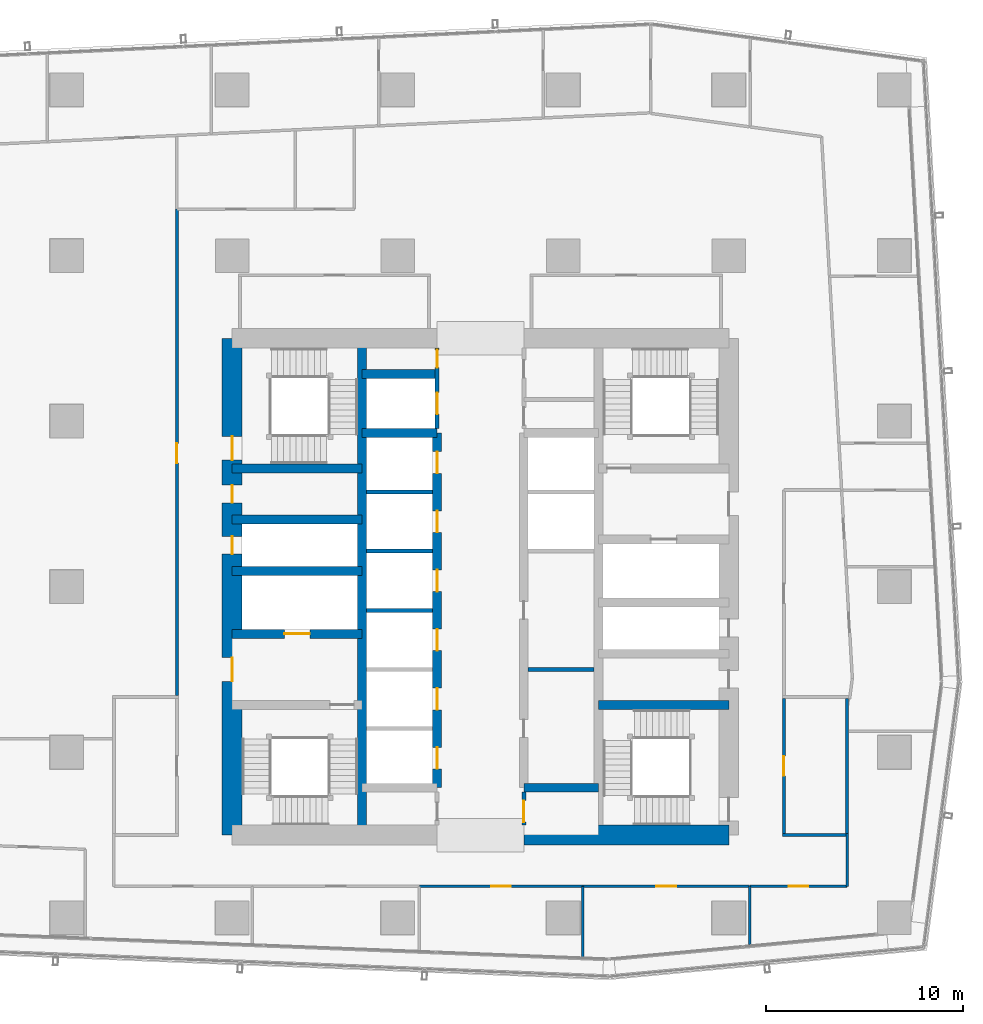
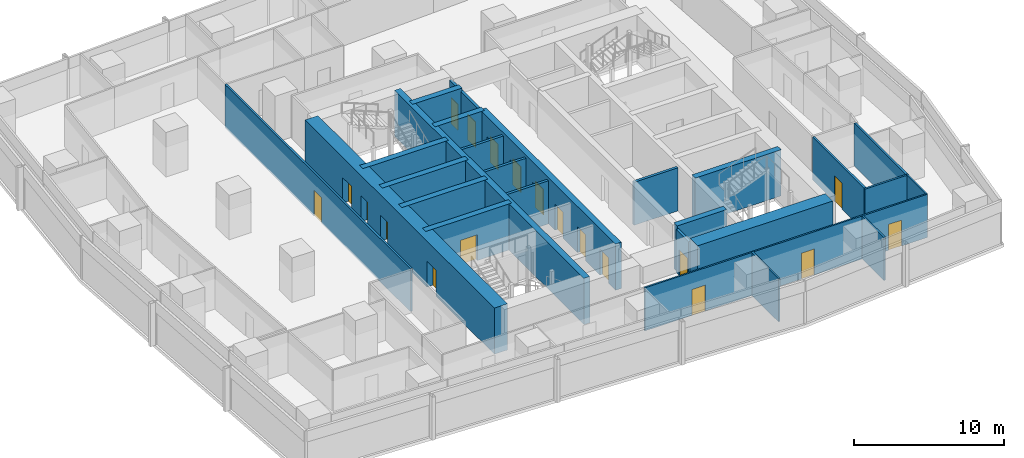
# One storey, part 28 of 39: 28 walls, 19 doors, 19 openings.
"""IFC4 building model written with IfcOpenShell, lengths in metres."""

from ifc_helpers import new_model, si_unit, direction, frame, frame_2d, origin, place, context, subcontext, project, spatial, rectangle, extrude, material, layer, layer_set, type_object, element, fill, save


model = new_model("IFC4")

# Units and contexts
model_context = context("Model", 3, precision=1e-05, world=origin(), true_north=direction((0.0, 1.0)))
body_context = subcontext(model_context, "Body", "Model", "MODEL_VIEW")
ifc_project = project(units=[si_unit("LENGTHUNIT", "METRE"), si_unit("AREAUNIT", "SQUARE_METRE"), si_unit("VOLUMEUNIT", "CUBIC_METRE"), si_unit("PLANEANGLEUNIT", "RADIAN"), si_unit("MASSUNIT", "GRAM", prefix="KILO")], contexts=[model_context])

# Site, building, storey
site_placement = place(None, origin())
site = spatial("IfcSite", under=ifc_project, at=site_placement, CompositionType="ELEMENT")
building_placement = place(site_placement, origin())
building = spatial("IfcBuilding", under=site, at=building_placement, Name="Rekha Terrace Tower", CompositionType="ELEMENT")
storey_placement = place(building_placement, frame((0.0, 0.0, 180.199951171875)))
storey = spatial("IfcBuildingStorey", under=building, at=storey_placement, Name="L45", CompositionType="ELEMENT", Elevation=180.199951171875)

# Wall
ifc_material_1 = material(Name="Concrete M60", Category="concrete")
ifc_layer_1 = layer(ifc_material_1, 0.449951171875)
ifc_layer_set_1 = layer_set([ifc_layer_1], Name="Concrete M60")
wall_type_1 = type_object("IfcWallType", Name="CI3 450 core internal shear wall", PredefinedType="SHEAR", material=ifc_layer_set_1)
wall_1_placement = place(storey_placement, frame((31.800048828125, 21.0, 0.0), z_axis=(0.0, 0.0, 1.0), x_axis=(0.0, 1.0, 0.0)))
element("IfcWall", 1, at=wall_1_placement, inside=storey, type_object=wall_type_1, Name="Core wall X318 L45", PredefinedType="SHEAR", context=body_context, shape_type="SweptSolid", body=[
    extrude(rectangle(XDim=25.199951171875, YDim=0.449951171875, at=frame_2d((12.60009765625, 0.0))), origin(), (0.0, 0.0, 1.0), 3.75),
])

# Wall, openings, doors
wall_2_placement = place(storey_placement, frame((35.60009765625, 23.39990234375, 0.0), z_axis=(0.0, 0.0, 1.0), x_axis=(0.0, 1.0, 0.0)))
wall_2 = element("IfcWall", 2, at=wall_2_placement, inside=storey, type_object=wall_type_1, Name="Core wall X356 L45", PredefinedType="SHEAR", context=body_context, shape_type="SweptSolid", body=[
    extrude(rectangle(XDim=18.0, YDim=0.449951171875, at=frame_2d((9.0, 0.0))), origin(), (0.0, 0.0, 1.0), 3.75),
])
opening_1_placement = place(wall_2_placement, frame((0.949951171875, 0.0, 0.0)))
opening_1 = element("IfcOpeningElement", 3, at=opening_1_placement, cuts=wall_2, Name="Opening LD1", PredefinedType="OPENING", context=body_context, shape_type="SweptSolid", body=[
    extrude(rectangle(XDim=1.10009765625, YDim=2.10009765625, at=frame_2d((0.550048828125, 1.050048828125))), frame((0.0, 0.23486328125, 0.0), z_axis=(0.0, -1.0, 0.0), x_axis=(1.0, 0.0, 0.0)), (0.0, 0.0, 1.0), 0.469970703125),
])
opening_2_placement = place(wall_2_placement, frame((3.949951171875, 0.0, 0.0)))
opening_2 = element("IfcOpeningElement", 4, at=opening_2_placement, cuts=wall_2, Name="Opening LD1", PredefinedType="OPENING", context=body_context, shape_type="SweptSolid", body=[
    extrude(rectangle(XDim=1.10009765625, YDim=2.10009765625, at=frame_2d((0.550048828125, 1.050048828125))), frame((0.0, 0.23486328125, 0.0), z_axis=(0.0, -1.0, 0.0), x_axis=(1.0, 0.0, 0.0)), (0.0, 0.0, 1.0), 0.469970703125),
])
opening_3_placement = place(wall_2_placement, frame((6.949951171875, 0.0, 0.0)))
opening_3 = element("IfcOpeningElement", 5, at=opening_3_placement, cuts=wall_2, Name="Opening LD1", PredefinedType="OPENING", context=body_context, shape_type="SweptSolid", body=[
    extrude(rectangle(XDim=1.10009765625, YDim=2.10009765625, at=frame_2d((0.550048828125, 1.050048828125))), frame((0.0, 0.23486328125, 0.0), z_axis=(0.0, -1.0, 0.0), x_axis=(1.0, 0.0, 0.0)), (0.0, 0.0, 1.0), 0.469970703125),
])
opening_4_placement = place(wall_2_placement, frame((9.949951171875, 0.0, 0.0)))
opening_4 = element("IfcOpeningElement", 6, at=opening_4_placement, cuts=wall_2, Name="Opening LD1", PredefinedType="OPENING", context=body_context, shape_type="SweptSolid", body=[
    extrude(rectangle(XDim=1.10009765625, YDim=2.10009765625, at=frame_2d((0.550048828125, 1.050048828125))), frame((0.0, 0.23486328125, 0.0), z_axis=(0.0, -1.0, 0.0), x_axis=(1.0, 0.0, 0.0)), (0.0, 0.0, 1.0), 0.469970703125),
])
opening_5_placement = place(wall_2_placement, frame((12.949951171875, 0.0, 0.0)))
opening_5 = element("IfcOpeningElement", 7, at=opening_5_placement, cuts=wall_2, Name="Opening LD1", PredefinedType="OPENING", context=body_context, shape_type="SweptSolid", body=[
    extrude(rectangle(XDim=1.10009765625, YDim=2.10009765625, at=frame_2d((0.550048828125, 1.050048828125))), frame((0.0, 0.23486328125, 0.0), z_axis=(0.0, -1.0, 0.0), x_axis=(1.0, 0.0, 0.0)), (0.0, 0.0, 1.0), 0.469970703125),
])
opening_6_placement = place(wall_2_placement, frame((15.949951171875, 0.0, 0.0)))
opening_6 = element("IfcOpeningElement", 8, at=opening_6_placement, cuts=wall_2, Name="Opening LD1", PredefinedType="OPENING", context=body_context, shape_type="SweptSolid", body=[
    extrude(rectangle(XDim=1.10009765625, YDim=2.10009765625, at=frame_2d((0.550048828125, 1.050048828125))), frame((0.0, 0.23486328125, 0.0), z_axis=(0.0, -1.0, 0.0), x_axis=(1.0, 0.0, 0.0)), (0.0, 0.0, 1.0), 0.469970703125),
])
ifc_material_2 = material(Name="Stainless steel sliding landing door", Category="steel")
door_type_1 = type_object("IfcDoorType", Name="LD1 1100x2100 lift landing door", OperationType="SLIDING_TO_LEFT", PredefinedType="USERDEFINED", material=ifc_material_2)
door_1_placement = place(opening_1_placement, origin())
door_1 = element("IfcDoor", 9, at=door_1_placement, inside=storey, type_object=door_type_1, Name="Lift C1 landing door L45", ObjectType="LIFT LANDING DOOR", OperationType="SLIDING_TO_LEFT", OverallHeight=2.10009765625, OverallWidth=1.10009765625, PredefinedType="USERDEFINED", context=body_context, shape_type="SweptSolid", body=[
    extrude(rectangle(XDim=1.10009765625, YDim=2.10009765625, at=frame_2d((0.550048828125, 1.050048828125))), frame((0.0, 0.02490234375, 0.0), z_axis=(0.0, -1.0, 0.0), x_axis=(1.0, 0.0, 0.0)), (0.0, 0.0, 1.0), 0.050048828125),
])
fill(opening_1, door_1)
door_2_placement = place(opening_2_placement, origin())
door_2 = element("IfcDoor", 10, at=door_2_placement, inside=storey, type_object=door_type_1, Name="Lift C2 landing door L45", ObjectType="LIFT LANDING DOOR", OperationType="SLIDING_TO_LEFT", OverallHeight=2.10009765625, OverallWidth=1.10009765625, PredefinedType="USERDEFINED", context=body_context, shape_type="SweptSolid", body=[
    extrude(rectangle(XDim=1.10009765625, YDim=2.10009765625, at=frame_2d((0.550048828125, 1.050048828125))), frame((0.0, 0.02490234375, 0.0), z_axis=(0.0, -1.0, 0.0), x_axis=(1.0, 0.0, 0.0)), (0.0, 0.0, 1.0), 0.050048828125),
])
fill(opening_2, door_2)
door_3_placement = place(opening_3_placement, origin())
door_3 = element("IfcDoor", 11, at=door_3_placement, inside=storey, type_object=door_type_1, Name="Lift C3 landing door L45", ObjectType="LIFT LANDING DOOR", OperationType="SLIDING_TO_LEFT", OverallHeight=2.10009765625, OverallWidth=1.10009765625, PredefinedType="USERDEFINED", context=body_context, shape_type="SweptSolid", body=[
    extrude(rectangle(XDim=1.10009765625, YDim=2.10009765625, at=frame_2d((0.550048828125, 1.050048828125))), frame((0.0, 0.02490234375, 0.0), z_axis=(0.0, -1.0, 0.0), x_axis=(1.0, 0.0, 0.0)), (0.0, 0.0, 1.0), 0.050048828125),
])
fill(opening_3, door_3)
door_4_placement = place(opening_4_placement, origin())
door_4 = element("IfcDoor", 12, at=door_4_placement, inside=storey, type_object=door_type_1, Name="Lift C4 landing door L45", ObjectType="LIFT LANDING DOOR", OperationType="SLIDING_TO_LEFT", OverallHeight=2.10009765625, OverallWidth=1.10009765625, PredefinedType="USERDEFINED", context=body_context, shape_type="SweptSolid", body=[
    extrude(rectangle(XDim=1.10009765625, YDim=2.10009765625, at=frame_2d((0.550048828125, 1.050048828125))), frame((0.0, 0.02490234375, 0.0), z_axis=(0.0, -1.0, 0.0), x_axis=(1.0, 0.0, 0.0)), (0.0, 0.0, 1.0), 0.050048828125),
])
fill(opening_4, door_4)
door_5_placement = place(opening_5_placement, origin())
door_5 = element("IfcDoor", 13, at=door_5_placement, inside=storey, type_object=door_type_1, Name="Lift C5 landing door L45", ObjectType="LIFT LANDING DOOR", OperationType="SLIDING_TO_LEFT", OverallHeight=2.10009765625, OverallWidth=1.10009765625, PredefinedType="USERDEFINED", context=body_context, shape_type="SweptSolid", body=[
    extrude(rectangle(XDim=1.10009765625, YDim=2.10009765625, at=frame_2d((0.550048828125, 1.050048828125))), frame((0.0, 0.02490234375, 0.0), z_axis=(0.0, -1.0, 0.0), x_axis=(1.0, 0.0, 0.0)), (0.0, 0.0, 1.0), 0.050048828125),
])
fill(opening_5, door_5)
door_6_placement = place(opening_6_placement, origin())
door_6 = element("IfcDoor", 14, at=door_6_placement, inside=storey, type_object=door_type_1, Name="Lift C6 landing door L45", ObjectType="LIFT LANDING DOOR", OperationType="SLIDING_TO_LEFT", OverallHeight=2.10009765625, OverallWidth=1.10009765625, PredefinedType="USERDEFINED", context=body_context, shape_type="SweptSolid", body=[
    extrude(rectangle(XDim=1.10009765625, YDim=2.10009765625, at=frame_2d((0.550048828125, 1.050048828125))), frame((0.0, 0.02490234375, 0.0), z_axis=(0.0, -1.0, 0.0), x_axis=(1.0, 0.0, 0.0)), (0.0, 0.0, 1.0), 0.050048828125),
])
fill(opening_6, door_6)

# Walls
for number, where, z_axis, x_axis, name in (
    (15, (31.800048828125, 41.39990234375, 0.0), (0.0, 0.0, 1.0), (1.0, 0.0, 0.0), "Core wall Y414W L45"),
    (16, (31.800048828125, 44.39990234375, 0.0), (0.0, 0.0, 1.0), (1.0, 0.0, 0.0), "Core wall Y444W L45"),
    (17, (40.0, 23.39990234375, 0.0), (0.0, 0.0, 1.0), (1.0, 0.0, 0.0), "Core wall Y234E L45"),
):
    element("IfcWall", number, at=place(storey_placement, frame(where, z_axis=z_axis, x_axis=x_axis)), inside=storey, type_object=wall_type_1, Name=name, PredefinedType="SHEAR", context=body_context, shape_type="SweptSolid", body=[
        extrude(rectangle(XDim=3.800048828125, YDim=0.449951171875, at=frame_2d((1.89990234375, 0.0))), origin(), (0.0, 0.0, 1.0), 3.75),
    ])

# Wall, opening, door
wall_3_placement = place(storey_placement, frame((25.199951171875, 31.199951171875, 0.0), z_axis=(0.0, 0.0, 1.0), x_axis=(1.0, 0.0, 0.0)))
wall_3 = element("IfcWall", 18, at=wall_3_placement, inside=storey, type_object=wall_type_1, Name="Core wall Y312W L45", PredefinedType="SHEAR", context=body_context, shape_type="SweptSolid", body=[
    extrude(rectangle(XDim=6.60009765625, YDim=0.449951171875, at=frame_2d((3.300048828125, 0.0))), origin(), (0.0, 0.0, 1.0), 3.75),
])
opening_7_placement = place(wall_3_placement, frame((2.64990234375, 0.0, 0.0)))
opening_7 = element("IfcOpeningElement", 19, at=opening_7_placement, cuts=wall_3, Name="Opening LD2", PredefinedType="OPENING", context=body_context, shape_type="SweptSolid", body=[
    extrude(rectangle(XDim=1.300048828125, YDim=2.10009765625, at=frame_2d((0.64990234375, 1.050048828125))), frame((0.0, 0.23486328125, 0.0), z_axis=(0.0, -1.0, 0.0), x_axis=(1.0, 0.0, 0.0)), (0.0, 0.0, 1.0), 0.469970703125),
])
door_type_2 = type_object("IfcDoorType", Name="LD2 1300x2100 fire lift landing door", OperationType="SLIDING_TO_LEFT", PredefinedType="USERDEFINED", material=ifc_material_2)
door_7_placement = place(opening_7_placement, origin())
door_7 = element("IfcDoor", 20, at=door_7_placement, inside=storey, type_object=door_type_2, Name="Lift FL1 landing door L45", ObjectType="LIFT LANDING DOOR", OperationType="SLIDING_TO_LEFT", OverallHeight=2.10009765625, OverallWidth=1.300048828125, PredefinedType="USERDEFINED", context=body_context, shape_type="SweptSolid", body=[
    extrude(rectangle(XDim=1.300048828125, YDim=2.10009765625, at=frame_2d((0.64990234375, 1.050048828125))), frame((0.0, 0.02490234375, 0.0), z_axis=(0.0, -1.0, 0.0), x_axis=(1.0, 0.0, 0.0)), (0.0, 0.0, 1.0), 0.050048828125),
])
fill(opening_7, door_7)

# Walls
for number, where, z_axis, x_axis, name in (
    (21, (25.199951171875, 34.39990234375, 0.0), (0.0, 0.0, 1.0), (1.0, 0.0, 0.0), "Core wall Y344W L45"),
    (22, (25.199951171875, 37.0, 0.0), (0.0, 0.0, 1.0), (1.0, 0.0, 0.0), "Core wall Y370W L45"),
    (23, (25.199951171875, 39.60009765625, 0.0), (0.0, 0.0, 1.0), (1.0, 0.0, 0.0), "Core wall Y396W L45"),
):
    element("IfcWall", number, at=place(storey_placement, frame(where, z_axis=z_axis, x_axis=x_axis)), inside=storey, type_object=wall_type_1, Name=name, PredefinedType="SHEAR", context=body_context, shape_type="SweptSolid", body=[
        extrude(rectangle(XDim=6.60009765625, YDim=0.449951171875, at=frame_2d((3.300048828125, 0.0))), origin(), (0.0, 0.0, 1.0), 3.75),
    ])
wall_4_placement = place(storey_placement, frame((43.800048828125, 27.60009765625, 0.0), z_axis=(0.0, 0.0, 1.0), x_axis=(1.0, 0.0, 0.0)))
element("IfcWall", 24, at=wall_4_placement, inside=storey, type_object=wall_type_1, Name="Core wall Y276E L45", PredefinedType="SHEAR", context=body_context, shape_type="SweptSolid", body=[
    extrude(rectangle(XDim=6.599853515625, YDim=0.449951171875, at=frame_2d((3.2998046875, 0.0))), origin(), (0.0, 0.0, 1.0), 3.75),
])
ifc_layer_2 = layer(ifc_material_1, 1.0)
ifc_layer_set_2 = layer_set([ifc_layer_2], Name="Concrete M60")
wall_type_2 = type_object("IfcWallType", Name="SW3 1000 core outer shear wall", PredefinedType="SHEAR", material=ifc_layer_set_2)
wall_5_placement = place(storey_placement, frame((40.0, 21.0, 0.0), z_axis=(0.0, 0.0, 1.0), x_axis=(1.0, 0.0, 0.0)))
element("IfcWall", 25, at=wall_5_placement, inside=storey, type_object=wall_type_2, Name="Core wall S2 L45", PredefinedType="SHEAR", context=body_context, shape_type="SweptSolid", body=[
    extrude(rectangle(XDim=10.39990234375, YDim=1.0, at=frame_2d((5.199951171875, 0.0))), origin(), (0.0, 0.0, 1.0), 3.75),
])

# Wall, openings, doors
wall_6_placement = place(storey_placement, frame((25.199951171875, 21.0, 0.0), z_axis=(0.0, 0.0, 1.0), x_axis=(0.0, 1.0, 0.0)))
wall_6 = element("IfcWall", 26, at=wall_6_placement, inside=storey, type_object=wall_type_2, Name="Core wall W L45", PredefinedType="SHEAR", context=body_context, shape_type="SweptSolid", body=[
    extrude(rectangle(XDim=25.199951171875, YDim=1.0, at=frame_2d((12.60009765625, 0.0))), origin(), (0.0, 0.0, 1.0), 3.75),
])
opening_8_placement = place(wall_6_placement, frame((7.800048828125, 0.0, 0.0)))
opening_8 = element("IfcOpeningElement", 27, at=opening_8_placement, cuts=wall_6, Name="Opening D2", PredefinedType="OPENING", context=body_context, shape_type="SweptSolid", body=[
    extrude(rectangle(XDim=1.199951171875, YDim=2.10009765625, at=frame_2d((0.60009765625, 1.050048828125))), frame((0.0, 0.510009765625, 0.0), z_axis=(0.0, -1.0, 0.0), x_axis=(1.0, 0.0, 0.0)), (0.0, 0.0, 1.0), 1.02001953125),
])
opening_9_placement = place(wall_6_placement, frame((14.25, 0.0, 0.0)))
opening_9 = element("IfcOpeningElement", 28, at=opening_9_placement, cuts=wall_6, Name="Opening D5", PredefinedType="OPENING", context=body_context, shape_type="SweptSolid", body=[
    extrude(rectangle(XDim=0.89990234375, YDim=2.10009765625, at=frame_2d((0.449951171875, 1.050048828125))), frame((0.0, 0.510009765625, 0.0), z_axis=(0.0, -1.0, 0.0), x_axis=(1.0, 0.0, 0.0)), (0.0, 0.0, 1.0), 1.02001953125),
])
opening_10_placement = place(wall_6_placement, frame((16.85009765625, 0.0, 0.0)))
opening_10 = element("IfcOpeningElement", 29, at=opening_10_placement, cuts=wall_6, Name="Opening D5", PredefinedType="OPENING", context=body_context, shape_type="SweptSolid", body=[
    extrude(rectangle(XDim=0.89990234375, YDim=2.10009765625, at=frame_2d((0.449951171875, 1.050048828125))), frame((0.0, 0.510009765625, 0.0), z_axis=(0.0, -1.0, 0.0), x_axis=(1.0, 0.0, 0.0)), (0.0, 0.0, 1.0), 1.02001953125),
])
opening_11_placement = place(wall_6_placement, frame((19.02490234375, 0.0, 0.0)))
opening_11 = element("IfcOpeningElement", 30, at=opening_11_placement, cuts=wall_6, Name="Opening D1", PredefinedType="OPENING", context=body_context, shape_type="SweptSolid", body=[
    extrude(rectangle(XDim=1.199951171875, YDim=2.10009765625, at=frame_2d((0.60009765625, 1.050048828125))), frame((0.0, 0.510009765625, 0.0), z_axis=(0.0, -1.0, 0.0), x_axis=(1.0, 0.0, 0.0)), (0.0, 0.0, 1.0), 1.02001953125),
])
ifc_material_3 = material(Name="Steel fire door", Category="steel")
door_type_3 = type_object("IfcDoorType", Name="D1 1200x2100 stair fire door", OperationType="SINGLE_SWING_RIGHT", PredefinedType="DOOR", material=ifc_material_3)
door_8_placement = place(opening_11_placement, origin())
door_8 = element("IfcDoor", 31, at=door_8_placement, inside=storey, type_object=door_type_3, Name="Stair ST4 door L45", OperationType="SINGLE_SWING_RIGHT", OverallHeight=2.10009765625, OverallWidth=1.199951171875, PredefinedType="DOOR", context=body_context, shape_type="SweptSolid", body=[
    extrude(rectangle(XDim=1.199951171875, YDim=2.10009765625, at=frame_2d((0.60009765625, 1.050048828125))), frame((0.0, 0.02490234375, 0.0), z_axis=(0.0, -1.0, 0.0), x_axis=(1.0, 0.0, 0.0)), (0.0, 0.0, 1.0), 0.050048828125),
])
fill(opening_11, door_8)
door_type_4 = type_object("IfcDoorType", Name="D2 1200x2100 firefighting lobby door", OperationType="SINGLE_SWING_LEFT", PredefinedType="DOOR", material=ifc_material_3)
door_9_placement = place(opening_8_placement, origin())
door_9 = element("IfcDoor", 32, at=door_9_placement, inside=storey, type_object=door_type_4, Name="Door flb1 L45", OperationType="SINGLE_SWING_LEFT", OverallHeight=2.10009765625, OverallWidth=1.199951171875, PredefinedType="DOOR", context=body_context, shape_type="SweptSolid", body=[
    extrude(rectangle(XDim=1.199951171875, YDim=2.10009765625, at=frame_2d((0.60009765625, 1.050048828125))), frame((0.0, 0.02490234375, 0.0), z_axis=(0.0, -1.0, 0.0), x_axis=(1.0, 0.0, 0.0)), (0.0, 0.0, 1.0), 0.050048828125),
])
fill(opening_8, door_9)
door_type_5 = type_object("IfcDoorType", Name="D5 900x2100 riser access door", OperationType="SINGLE_SWING_LEFT", PredefinedType="DOOR", material=ifc_material_3)
door_10_placement = place(opening_9_placement, origin())
door_10 = element("IfcDoor", 33, at=door_10_placement, inside=storey, type_object=door_type_5, Name="Door rs1 L45", OperationType="SINGLE_SWING_LEFT", OverallHeight=2.10009765625, OverallWidth=0.89990234375, PredefinedType="DOOR", context=body_context, shape_type="SweptSolid", body=[
    extrude(rectangle(XDim=0.89990234375, YDim=2.10009765625, at=frame_2d((0.449951171875, 1.050048828125))), frame((0.0, 0.02490234375, 0.0), z_axis=(0.0, -1.0, 0.0), x_axis=(1.0, 0.0, 0.0)), (0.0, 0.0, 1.0), 0.050048828125),
])
fill(opening_9, door_10)
door_11_placement = place(opening_10_placement, origin())
door_11 = element("IfcDoor", 34, at=door_11_placement, inside=storey, type_object=door_type_5, Name="Door elw L45", OperationType="SINGLE_SWING_LEFT", OverallHeight=2.10009765625, OverallWidth=0.89990234375, PredefinedType="DOOR", context=body_context, shape_type="SweptSolid", body=[
    extrude(rectangle(XDim=0.89990234375, YDim=2.10009765625, at=frame_2d((0.449951171875, 1.050048828125))), frame((0.0, 0.02490234375, 0.0), z_axis=(0.0, -1.0, 0.0), x_axis=(1.0, 0.0, 0.0)), (0.0, 0.0, 1.0), 0.050048828125),
])
fill(opening_10, door_11)

# Wall
ifc_material_4 = material(Name="Concrete block masonry, 1 hour", Category="masonry")
ifc_layer_3 = layer(ifc_material_4, 0.14990234375)
ifc_layer_set_3 = layer_set([ifc_layer_3], Name="Concrete block masonry, 1 hour")
wall_type_3 = type_object("IfcWallType", Name="WP2 150 tenancy partition", PredefinedType="PARTITIONING", material=ifc_layer_set_3)
wall_7_placement = place(storey_placement, frame((53.125, 21.0, 0.0), z_axis=(0.0, 0.0, 1.0), x_axis=(1.0, 0.0, 0.0)))
element("IfcWall", 35, at=wall_7_placement, inside=storey, type_object=wall_type_3, Name="Men's WC wall L45", PredefinedType="PARTITIONING", context=body_context, shape_type="SweptSolid", body=[
    extrude(rectangle(XDim=3.35009765625, YDim=0.14990234375, at=frame_2d((1.675048828125, 0.0))), origin(), (0.0, 0.0, 1.0), 3.5),
])

# Wall, opening, door
wall_8_placement = place(storey_placement, frame((53.199951171875, 21.074951171875, 0.0), z_axis=(0.0, 0.0, 1.0), x_axis=(0.0, 1.0, 0.0)))
wall_8 = element("IfcWall", 36, at=wall_8_placement, inside=storey, type_object=wall_type_3, Name="Men's WC wall L45", PredefinedType="PARTITIONING", context=body_context, shape_type="SweptSolid", body=[
    extrude(rectangle(XDim=6.85009765625, YDim=0.14990234375, at=frame_2d((3.425048828125, 0.0))), origin(), (0.0, 0.0, 1.0), 3.5),
])
opening_12_placement = place(wall_8_placement, frame((2.925048828125, 0.0, 0.0)))
opening_12 = element("IfcOpeningElement", 37, at=opening_12_placement, cuts=wall_8, Name="Opening D3", PredefinedType="OPENING", context=body_context, shape_type="SweptSolid", body=[
    extrude(rectangle(XDim=1.0, YDim=2.10009765625, at=frame_2d((0.5, 1.050048828125))), frame((0.0, 0.0849609375, 0.0), z_axis=(0.0, -1.0, 0.0), x_axis=(1.0, 0.0, 0.0)), (0.0, 0.0, 1.0), 0.169921875),
])
ifc_material_5 = material(Name="Laminated timber fire door", Category="wood")
door_type_6 = type_object("IfcDoorType", Name="D3 1000x2100 WC door", OperationType="SINGLE_SWING_LEFT", PredefinedType="DOOR", material=ifc_material_5)
door_12_placement = place(opening_12_placement, origin())
door_12 = element("IfcDoor", 38, at=door_12_placement, inside=storey, type_object=door_type_6, Name="Door men's wc L45", OperationType="SINGLE_SWING_LEFT", OverallHeight=2.10009765625, OverallWidth=1.0, PredefinedType="DOOR", context=body_context, shape_type="SweptSolid", body=[
    extrude(rectangle(XDim=1.0, YDim=2.10009765625, at=frame_2d((0.5, 1.050048828125))), frame((0.0, 0.02490234375, 0.0), z_axis=(0.0, -1.0, 0.0), x_axis=(1.0, 0.0, 0.0)), (0.0, 0.0, 1.0), 0.050048828125),
])
fill(opening_12, door_12)

# Wall
wall_9_placement = place(storey_placement, frame((56.39990234375, 21.074951171875, 0.0), z_axis=(0.0, 0.0, 1.0), x_axis=(0.0, 1.0, 0.0)))
element("IfcWall", 39, at=wall_9_placement, inside=storey, type_object=wall_type_3, Name="Men's WC wall L45", PredefinedType="PARTITIONING", context=body_context, shape_type="SweptSolid", body=[
    extrude(rectangle(XDim=6.85009765625, YDim=0.14990234375, at=frame_2d((3.425048828125, 0.0))), origin(), (0.0, 0.0, 1.0), 3.5),
])

# Wall, opening, door
wall_10_placement = place(storey_placement, frame((22.39990234375, 52.75, 0.0), z_axis=(0.0, 0.0, 1.0), x_axis=(0.0, -1.0, 0.0)))
wall_10 = element("IfcWall", 40, at=wall_10_placement, inside=storey, type_object=wall_type_3, Name="Partition L45-O2", PredefinedType="PARTITIONING", context=body_context, shape_type="SweptSolid", body=[
    extrude(rectangle(XDim=24.675048828125, YDim=0.14990234375, at=frame_2d((12.33740234375, 0.0))), origin(), (0.0, 0.0, 1.0), 3.5),
])
opening_13_placement = place(wall_10_placement, frame((11.875, 0.0, 0.0)))
opening_13 = element("IfcOpeningElement", 41, at=opening_13_placement, cuts=wall_10, Name="Opening D9", PredefinedType="OPENING", context=body_context, shape_type="SweptSolid", body=[
    extrude(rectangle(XDim=1.0, YDim=2.10009765625, at=frame_2d((0.5, 1.050048828125))), frame((0.0, 0.0849609375, 0.0), z_axis=(0.0, -1.0, 0.0), x_axis=(1.0, 0.0, 0.0)), (0.0, 0.0, 1.0), 0.169921875),
])
ifc_material_6 = material(Name="Timber fire door", Category="wood")
door_type_7 = type_object("IfcDoorType", Name="D9 1000x2100 office door", OperationType="SINGLE_SWING_LEFT", PredefinedType="DOOR", material=ifc_material_6)
door_13_placement = place(opening_13_placement, origin())
door_13 = element("IfcDoor", 42, at=door_13_placement, inside=storey, type_object=door_type_7, Name="Door open-plan office L45", OperationType="SINGLE_SWING_LEFT", OverallHeight=2.10009765625, OverallWidth=1.0, PredefinedType="DOOR", context=body_context, shape_type="SweptSolid", body=[
    extrude(rectangle(XDim=1.0, YDim=2.10009765625, at=frame_2d((0.5, 1.050048828125))), frame((0.0, 0.02490234375, 0.0), z_axis=(0.0, -1.0, 0.0), x_axis=(1.0, 0.0, 0.0)), (0.0, 0.0, 1.0), 0.050048828125),
])
fill(opening_13, door_13)

ifc_material_7 = material(Name="Two layers of fire-rated gypsum board each side on steel studs, acoustic quilt, 1 hour", Category="steel")
ifc_layer_4 = layer(ifc_material_7, 0.125)
ifc_layer_set_4 = layer_set([ifc_layer_4], Name="Two layers of fire-rated gypsum board each side on steel studs, acoustic quilt, 1 hour")
wall_type_4 = type_object("IfcWallType", Name="WP3 125 office partition", PredefinedType="PARTITIONING", material=ifc_layer_set_4)
wall_11_placement = place(storey_placement, frame((34.7060546875, 18.39990234375, 0.0), z_axis=(0.0, 0.0, 1.0), x_axis=(1.0, 0.0, 0.0)))
wall_11 = element("IfcWall", 43, at=wall_11_placement, inside=storey, type_object=wall_type_4, Name="Partition L45-02", PredefinedType="PARTITIONING", context=body_context, shape_type="SweptSolid", body=[
    extrude(rectangle(XDim=8.291015625, YDim=0.125, at=frame_2d((4.1455078125, 0.0))), origin(), (0.0, 0.0, 1.0), 3.5),
])
opening_14_placement = place(wall_11_placement, frame((3.64501953125, 0.0, 0.0)))
opening_14 = element("IfcOpeningElement", 44, at=opening_14_placement, cuts=wall_11, Name="Opening D9", PredefinedType="OPENING", context=body_context, shape_type="SweptSolid", body=[
    extrude(rectangle(XDim=1.0, YDim=2.10009765625, at=frame_2d((0.5, 1.050048828125))), frame((0.0, 0.072509765625, 0.0), z_axis=(0.0, -1.0, 0.0), x_axis=(1.0, 0.0, 0.0)), (0.0, 0.0, 1.0), 0.14501953125),
])
door_14_placement = place(opening_14_placement, origin())
door_14 = element("IfcDoor", 45, at=door_14_placement, inside=storey, type_object=door_type_7, Name="Door meeting room L45", OperationType="SINGLE_SWING_LEFT", OverallHeight=2.10009765625, OverallWidth=1.0, PredefinedType="DOOR", context=body_context, shape_type="SweptSolid", body=[
    extrude(rectangle(XDim=1.0, YDim=2.10009765625, at=frame_2d((0.5, 1.050048828125))), frame((0.0, 0.02490234375, 0.0), z_axis=(0.0, -1.0, 0.0), x_axis=(1.0, 0.0, 0.0)), (0.0, 0.0, 1.0), 0.050048828125),
])
fill(opening_14, door_14)

# Wall
wall_12_placement = place(storey_placement, frame((42.9970703125, 18.39990234375, 0.0), z_axis=(0.0, 0.0, 1.0), x_axis=(0.0, -1.0, 0.0)))
element("IfcWall", 46, at=wall_12_placement, inside=storey, type_object=wall_type_4, Name="Partition L45-02", PredefinedType="PARTITIONING", context=body_context, shape_type="SweptSolid", body=[
    extrude(rectangle(XDim=3.5859375, YDim=0.125, at=frame_2d((1.79296875, 0.0))), origin(), (0.0, 0.0, 1.0), 3.5),
])

# Wall, opening, door
wall_13_placement = place(storey_placement, frame((42.998046875, 18.39990234375, 0.0), z_axis=(0.0, 0.0, 1.0), x_axis=(1.0, 0.0, 0.0)))
wall_13 = element("IfcWall", 47, at=wall_13_placement, inside=storey, type_object=wall_type_4, Name="Partition L45-03", PredefinedType="PARTITIONING", context=body_context, shape_type="SweptSolid", body=[
    extrude(rectangle(XDim=8.466064453125, YDim=0.125, at=frame_2d((4.23291015625, 0.0))), origin(), (0.0, 0.0, 1.0), 3.5),
])
opening_15_placement = place(wall_13_placement, frame((3.73291015625, 0.0, 0.0)))
opening_15 = element("IfcOpeningElement", 48, at=opening_15_placement, cuts=wall_13, Name="Opening D9", PredefinedType="OPENING", context=body_context, shape_type="SweptSolid", body=[
    extrude(rectangle(XDim=1.0, YDim=2.10009765625, at=frame_2d((0.5, 1.050048828125))), frame((0.0, 0.072509765625, 0.0), z_axis=(0.0, -1.0, 0.0), x_axis=(1.0, 0.0, 0.0)), (0.0, 0.0, 1.0), 0.14501953125),
])
door_15_placement = place(opening_15_placement, origin())
door_15 = element("IfcDoor", 49, at=door_15_placement, inside=storey, type_object=door_type_7, Name="Door pantry L45", OperationType="SINGLE_SWING_LEFT", OverallHeight=2.10009765625, OverallWidth=1.0, PredefinedType="DOOR", context=body_context, shape_type="SweptSolid", body=[
    extrude(rectangle(XDim=1.0, YDim=2.10009765625, at=frame_2d((0.5, 1.050048828125))), frame((0.0, 0.02490234375, 0.0), z_axis=(0.0, -1.0, 0.0), x_axis=(1.0, 0.0, 0.0)), (0.0, 0.0, 1.0), 0.050048828125),
])
fill(opening_15, door_15)

# Wall
wall_14_placement = place(storey_placement, frame((51.464111328125, 18.39990234375, 0.0), z_axis=(0.0, 0.0, 1.0), x_axis=(0.0, -1.0, 0.0)))
element("IfcWall", 50, at=wall_14_placement, inside=storey, type_object=wall_type_4, Name="Partition L45-03", PredefinedType="PARTITIONING", context=body_context, shape_type="SweptSolid", body=[
    extrude(rectangle(XDim=2.94189453125, YDim=0.125, at=frame_2d((1.470947265625, 0.0))), origin(), (0.0, 0.0, 1.0), 3.5),
])

# Wall, opening, door
wall_15_placement = place(storey_placement, frame((51.465087890625, 18.39990234375, 0.0), z_axis=(0.0, 0.0, 1.0), x_axis=(1.0, 0.0, 0.0)))
wall_15 = element("IfcWall", 51, at=wall_15_placement, inside=storey, type_object=wall_type_4, Name="Partition L45-04", PredefinedType="PARTITIONING", context=body_context, shape_type="SweptSolid", body=[
    extrude(rectangle(XDim=4.934814453125, YDim=0.125, at=frame_2d((2.46728515625, 0.0))), origin(), (0.0, 0.0, 1.0), 3.5),
])
opening_16_placement = place(wall_15_placement, frame((1.968017578125, 0.0, 0.0)))
opening_16 = element("IfcOpeningElement", 52, at=opening_16_placement, cuts=wall_15, Name="Opening D9", PredefinedType="OPENING", context=body_context, shape_type="SweptSolid", body=[
    extrude(rectangle(XDim=1.0, YDim=2.10009765625, at=frame_2d((0.5, 1.050048828125))), frame((0.0, 0.072509765625, 0.0), z_axis=(0.0, -1.0, 0.0), x_axis=(1.0, 0.0, 0.0)), (0.0, 0.0, 1.0), 0.14501953125),
])
door_16_placement = place(opening_16_placement, origin())
door_16 = element("IfcDoor", 53, at=door_16_placement, inside=storey, type_object=door_type_7, Name="Door director's office L45", OperationType="SINGLE_SWING_LEFT", OverallHeight=2.10009765625, OverallWidth=1.0, PredefinedType="DOOR", context=body_context, shape_type="SweptSolid", body=[
    extrude(rectangle(XDim=1.0, YDim=2.10009765625, at=frame_2d((0.5, 1.050048828125))), frame((0.0, 0.02490234375, 0.0), z_axis=(0.0, -1.0, 0.0), x_axis=(1.0, 0.0, 0.0)), (0.0, 0.0, 1.0), 0.050048828125),
])
fill(opening_16, door_16)

# Walls
wall_16_placement = place(storey_placement, frame((56.39990234375, 18.39990234375, 0.0), z_axis=(0.0, 0.0, 1.0), x_axis=(0.0, 1.0, 0.0)))
element("IfcWall", 54, at=wall_16_placement, inside=storey, type_object=wall_type_4, Name="Partition L45-04", PredefinedType="PARTITIONING", context=body_context, shape_type="SweptSolid", body=[
    extrude(rectangle(XDim=2.675048828125, YDim=0.125, at=frame_2d((1.33740234375, 0.0))), origin(), (0.0, 0.0, 1.0), 3.5),
])
ifc_material_8 = material(Name="Solid concrete block masonry, 2 hour", Category="masonry")
ifc_layer_5 = layer(ifc_material_8, 0.199951171875)
ifc_layer_set_5 = layer_set([ifc_layer_5], Name="Solid concrete block masonry, 2 hour")
wall_type_5 = type_object("IfcWallType", Name="WS1 200 stair and shaft enclosure", PredefinedType="PARTITIONING", material=ifc_layer_set_5)
for number, where, z_axis, x_axis, name in (
    (55, (32.02490234375, 32.39990234375, 0.0), (0.0, 0.0, 1.0), (1.0, 0.0, 0.0), "Lift shaft divider L45"),
    (56, (32.02490234375, 35.39990234375, 0.0), (0.0, 0.0, 1.0), (1.0, 0.0, 0.0), "Lift shaft divider L45"),
    (57, (32.02490234375, 38.39990234375, 0.0), (0.0, 0.0, 1.0), (1.0, 0.0, 0.0), "Lift shaft divider L45"),
):
    element("IfcWall", number, at=place(storey_placement, frame(where, z_axis=z_axis, x_axis=x_axis)), inside=storey, type_object=wall_type_5, Name=name, PredefinedType="PARTITIONING", context=body_context, shape_type="SweptSolid", body=[
        extrude(rectangle(XDim=3.35009765625, YDim=0.199951171875, at=frame_2d((1.675048828125, 0.0))), origin(), (0.0, 0.0, 1.0), 3.5),
    ])
wall_17_placement = place(storey_placement, frame((40.22509765625, 29.39990234375, 0.0), z_axis=(0.0, 0.0, 1.0), x_axis=(1.0, 0.0, 0.0)))
element("IfcWall", 58, at=wall_17_placement, inside=storey, type_object=wall_type_5, Name="Lift shaft divider L45", PredefinedType="PARTITIONING", context=body_context, shape_type="SweptSolid", body=[
    extrude(rectangle(XDim=3.349853515625, YDim=0.199951171875, at=frame_2d((1.6748046875, 0.0))), origin(), (0.0, 0.0, 1.0), 3.5),
])

# Wall, opening, door
wall_18_placement = place(storey_placement, frame((40.0, 21.5, 0.0), z_axis=(0.0, 0.0, 1.0), x_axis=(0.0, 1.0, 0.0)))
wall_18 = element("IfcWall", 59, at=wall_18_placement, inside=storey, type_object=wall_type_5, Name="Core partition wca L45", PredefinedType="PARTITIONING", context=body_context, shape_type="SweptSolid", body=[
    extrude(rectangle(XDim=1.675048828125, YDim=0.199951171875, at=frame_2d((0.83740234375, 0.0))), origin(), (0.0, 0.0, 1.0), 3.5),
])
opening_17_placement = place(wall_18_placement, frame((0.14990234375, 0.0, 0.0)))
opening_17 = element("IfcOpeningElement", 60, at=opening_17_placement, cuts=wall_18, Name="Opening D4", PredefinedType="OPENING", context=body_context, shape_type="SweptSolid", body=[
    extrude(rectangle(XDim=1.10009765625, YDim=2.10009765625, at=frame_2d((0.550048828125, 1.050048828125))), frame((0.0, 0.10986328125, 0.0), z_axis=(0.0, -1.0, 0.0), x_axis=(1.0, 0.0, 0.0)), (0.0, 0.0, 1.0), 0.219970703125),
])
door_type_8 = type_object("IfcDoorType", Name="D4 1100x2100 accessible WC door", OperationType="SLIDING_TO_LEFT", PredefinedType="DOOR", material=ifc_material_5)
door_17_placement = place(opening_17_placement, origin())
door_17 = element("IfcDoor", 61, at=door_17_placement, inside=storey, type_object=door_type_8, Name="Door wca L45", OperationType="SLIDING_TO_LEFT", OverallHeight=2.10009765625, OverallWidth=1.10009765625, PredefinedType="DOOR", context=body_context, shape_type="SweptSolid", body=[
    extrude(rectangle(XDim=1.10009765625, YDim=2.10009765625, at=frame_2d((0.550048828125, 1.050048828125))), frame((0.0, 0.02490234375, 0.0), z_axis=(0.0, -1.0, 0.0), x_axis=(1.0, 0.0, 0.0)), (0.0, 0.0, 1.0), 0.050048828125),
])
fill(opening_17, door_17)

# Wall, openings, doors
wall_19_placement = place(storey_placement, frame((35.60009765625, 41.625, 0.0), z_axis=(0.0, 0.0, 1.0), x_axis=(0.0, 1.0, 0.0)))
wall_19 = element("IfcWall", 62, at=wall_19_placement, inside=storey, type_object=wall_type_5, Name="Core partition jansv L45", PredefinedType="PARTITIONING", context=body_context, shape_type="SweptSolid", body=[
    extrude(rectangle(XDim=4.074951171875, YDim=0.199951171875, at=frame_2d((2.03759765625, 0.0))), origin(), (0.0, 0.0, 1.0), 3.5),
])
opening_18_placement = place(wall_19_placement, frame((3.087890625, 0.0, 0.0)))
opening_18 = element("IfcOpeningElement", 63, at=opening_18_placement, cuts=wall_19, Name="Opening D5", PredefinedType="OPENING", context=body_context, shape_type="SweptSolid", body=[
    extrude(rectangle(XDim=0.89990234375, YDim=2.10009765625, at=frame_2d((0.449951171875, 1.050048828125))), frame((0.0, 0.10986328125, 0.0), z_axis=(0.0, -1.0, 0.0), x_axis=(1.0, 0.0, 0.0)), (0.0, 0.0, 1.0), 0.219970703125),
])
opening_19_placement = place(wall_19_placement, frame((0.72509765625, 0.0, 0.0)))
opening_19 = element("IfcOpeningElement", 64, at=opening_19_placement, cuts=wall_19, Name="Opening LD1", PredefinedType="OPENING", context=body_context, shape_type="SweptSolid", body=[
    extrude(rectangle(XDim=1.10009765625, YDim=2.10009765625, at=frame_2d((0.550048828125, 1.050048828125))), frame((0.0, 0.10986328125, 0.0), z_axis=(0.0, -1.0, 0.0), x_axis=(1.0, 0.0, 0.0)), (0.0, 0.0, 1.0), 0.219970703125),
])
door_18_placement = place(opening_18_placement, origin())
door_18 = element("IfcDoor", 65, at=door_18_placement, inside=storey, type_object=door_type_5, Name="Door janitor room L45", OperationType="SINGLE_SWING_LEFT", OverallHeight=2.10009765625, OverallWidth=0.89990234375, PredefinedType="DOOR", context=body_context, shape_type="SweptSolid", body=[
    extrude(rectangle(XDim=0.89990234375, YDim=2.10009765625, at=frame_2d((0.449951171875, 1.050048828125))), frame((0.0, 0.02490234375, 0.0), z_axis=(0.0, -1.0, 0.0), x_axis=(1.0, 0.0, 0.0)), (0.0, 0.0, 1.0), 0.050048828125),
])
fill(opening_18, door_18)
door_19_placement = place(opening_19_placement, origin())
door_19 = element("IfcDoor", 66, at=door_19_placement, inside=storey, type_object=door_type_1, Name="Lift SV1 landing door L45", ObjectType="LIFT LANDING DOOR", OperationType="SLIDING_TO_LEFT", OverallHeight=2.10009765625, OverallWidth=1.10009765625, PredefinedType="USERDEFINED", context=body_context, shape_type="SweptSolid", body=[
    extrude(rectangle(XDim=1.10009765625, YDim=2.10009765625, at=frame_2d((0.550048828125, 1.050048828125))), frame((0.0, 0.02490234375, 0.0), z_axis=(0.0, -1.0, 0.0), x_axis=(1.0, 0.0, 0.0)), (0.0, 0.0, 1.0), 0.050048828125),
])
fill(opening_19, door_19)

save(model, "model.ifc")
